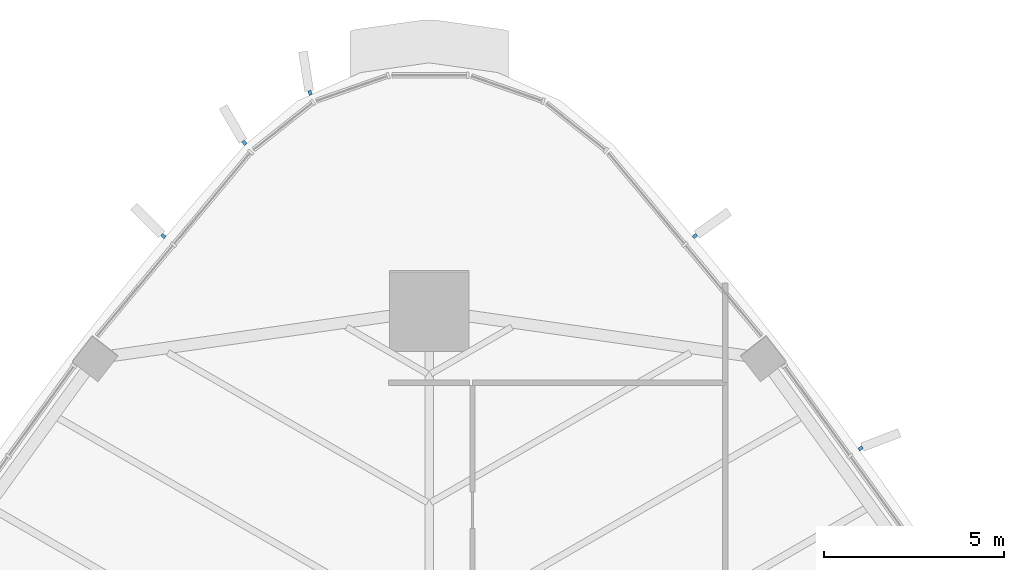
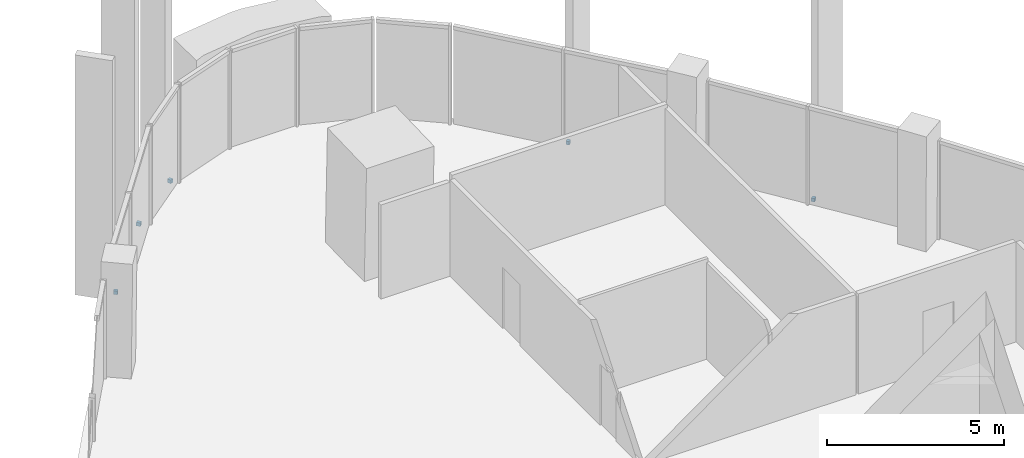
# One storey, part 15 of 19: 5 discrete accessories.
"""IFC4 building model written with IfcOpenShell, lengths in metres."""

from ifc_helpers import new_model, si_unit, direction, frame, origin, origin_2d, place, context, subcontext, project, spatial, rectangle, extrude, material, type_object, element, save


model = new_model("IFC4")

# Units and contexts
model_context = context("Model", 3, precision=1e-05, world=origin(), true_north=direction((0.0, 1.0)))
body_context = subcontext(model_context, "Body", "Model", "MODEL_VIEW")
ifc_project = project(units=[si_unit("LENGTHUNIT", "METRE"), si_unit("AREAUNIT", "SQUARE_METRE"), si_unit("VOLUMEUNIT", "CUBIC_METRE"), si_unit("PLANEANGLEUNIT", "RADIAN"), si_unit("MASSUNIT", "GRAM", prefix="KILO")], contexts=[model_context])

# Site, building, storey
site_placement = place(None, origin())
site = spatial("IfcSite", under=ifc_project, at=site_placement, CompositionType="ELEMENT")
building_placement = place(site_placement, origin())
building = spatial("IfcBuilding", under=site, at=building_placement, Name="Sierra Prisma Convention Tower", CompositionType="ELEMENT")
storey_placement = place(building_placement, frame((0.0, 0.0, 311.0)))
storey = spatial("IfcBuildingStorey", under=building, at=storey_placement, Name="L71", CompositionType="ELEMENT", Elevation=311.0)

# Discrete accessories
ifc_material = material(Name="Stainless steel 316", Category="steel")
discrete_accessory_type = type_object("IfcDiscreteAccessoryType", Name="Fin bracket", PredefinedType="BRACKET", material=ifc_material)
for number, where, z_axis, x_axis, name in (
    (1, (11.95263671875, 19.35009765625, -0.135009765625), (0.0, 0.0, 1.0), (0.80970219231, 0.586841000416, 0.0), "Fin bracket L71.36 base"),
    (2, (7.363037109375, 25.232666015625, -0.135009765625), (0.0, 0.0, 1.0), (0.76325302938, 0.646099692882, 0.0), "Fin bracket L71.39 base"),
    (3, (-3.299560546875, 29.200439453125, -0.135009765625), (0.0, 0.0, 1.0), (-0.407802167832, 0.913070310497, 0.0), "Fin bracket L71.44 base"),
    (4, (-5.118408203125, 27.816650390625, -0.135009765625), (0.0, 0.0, 1.0), (-0.644275922753, 0.764793132397, 0.0), "Fin bracket L71.45 base"),
    (5, (-7.363037109375, 25.232666015625, -0.135009765625), (0.0, 0.0, 1.0), (-0.76325302938, 0.646099692882, 0.0), "Fin bracket L71.46 base"),
):
    element("IfcDiscreteAccessory", number, at=place(storey_placement, frame(where, z_axis=z_axis, x_axis=x_axis)), inside=storey, type_object=discrete_accessory_type, Name=name, PredefinedType="BRACKET", context=body_context, shape_type="SweptSolid", body=[
        extrude(rectangle(XDim=0.1201171875, YDim=0.10009765625, at=origin_2d()), origin(), (0.0, 0.0, 1.0), 0.1201171875),
    ])

save(model, "model.ifc")
